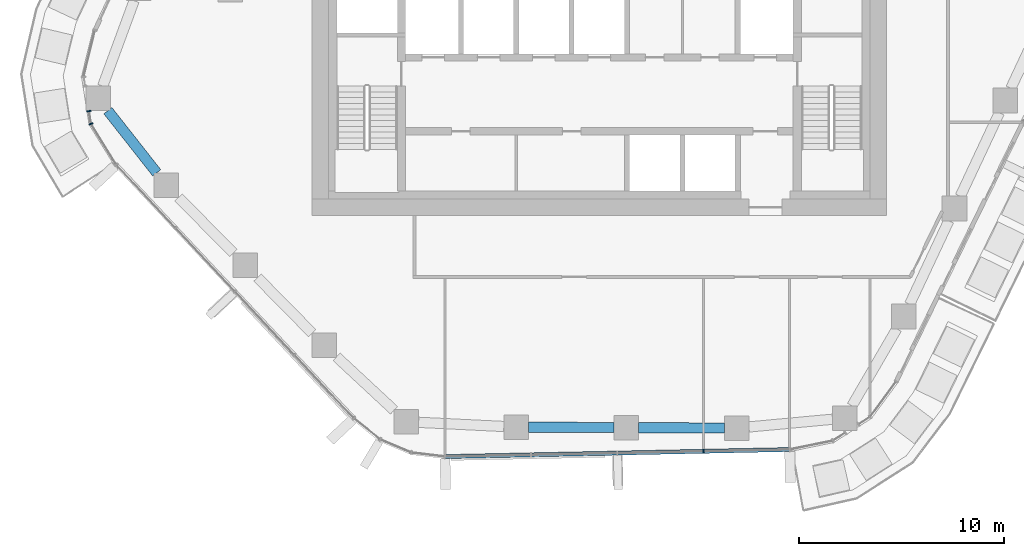
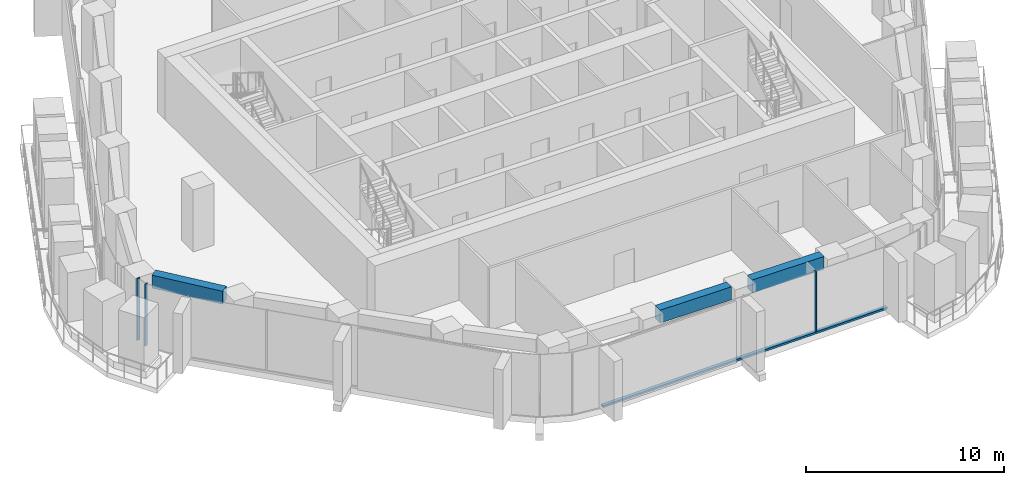
# One storey, part 3 of 18: 4 members, 3 beams, 2 elements without a shape of their own.
"""IFC4 building model written with IfcOpenShell, lengths in metres."""

from ifc_helpers import new_model, si_unit, direction, frame, origin, origin_2d, place, context, subcontext, project, spatial, rectangle, extrude, material, layer, layer_set, material_profile, profile_set, type_object, element, aggregate, save


model = new_model("IFC4")

# Units and contexts
model_context = context("Model", 3, precision=1e-05, world=origin(), true_north=direction((0.0, 1.0)))
body_context = subcontext(model_context, "Body", "Model", "MODEL_VIEW")
ifc_project = project(units=[si_unit("LENGTHUNIT", "METRE"), si_unit("AREAUNIT", "SQUARE_METRE"), si_unit("VOLUMEUNIT", "CUBIC_METRE"), si_unit("PLANEANGLEUNIT", "RADIAN"), si_unit("MASSUNIT", "GRAM", prefix="KILO")], contexts=[model_context])

# Site, building, storey
site_placement = place(None, origin())
site = spatial("IfcSite", under=ifc_project, at=site_placement, CompositionType="ELEMENT")
building_placement = place(site_placement, origin())
building = spatial("IfcBuilding", under=site, at=building_placement, Name="Dongbaek Canopy Tower", CompositionType="ELEMENT")
storey_placement = place(building_placement, frame((0.0, 0.0, 162.800048828125)))
storey = spatial("IfcBuildingStorey", under=building, at=storey_placement, Name="L35", CompositionType="ELEMENT", Elevation=162.800048828125)

# Curtain wall, members
ifc_material_1 = material(Name="Aluminium 6063-T6 pale anodised", Category="aluminium")
ifc_layer = layer(ifc_material_1, 0.199951171875)
ifc_layer_set = layer_set([ifc_layer], Name="CW-1 unitised tower curtain wall")
curtain_wall_type = type_object("IfcCurtainWallType", Name="CW-1 unitised tower curtain wall", PredefinedType="NOTDEFINED", material=ifc_layer_set)
curtain_wall_1_placement = place(storey_placement, origin())
curtain_wall_1 = element("IfcCurtainWall", 1, at=curtain_wall_1_placement, inside=storey, type_object=curtain_wall_type, Name="CW-1 curtain wall K3.1b", PredefinedType="NOTDEFINED")
ifc_material_2 = material(Name="Aluminium 6063-T6 pale anodised", Category="aluminium")
ifc_material_profile_1 = material_profile(ifc_material_2, rectangle(XDim=0.199951171875, YDim=0.06005859375, at=origin_2d()), Name="CW-1 mullion 60 x 200")
ifc_profile_set_1 = profile_set([ifc_material_profile_1], Name="Aluminium 6063-T6 pale anodised")
member_type_1 = type_object("IfcMemberType", Name="CW-1 mullion 60 x 200", PredefinedType="MULLION", material=ifc_profile_set_1)
member_1_placement = place(storey_placement, frame((-24.883056640625, -5.914306640625, 0.0), z_axis=(0.0, 0.0, 1.0), x_axis=(-0.987802807616, -0.155710029436, 0.0)))
member_1 = element("IfcMember", 2, at=member_1_placement, type_object=member_type_1, Name="CW-1 mullion K3.1b.1", PredefinedType="MULLION", context=body_context, shape_type="SweptSolid", body=[
    extrude(rectangle(XDim=0.199951171875, YDim=0.06005859375, at=origin_2d()), origin(), (0.0, 0.0, 1.0), 3.820068359375),
])
member_2_placement = place(storey_placement, frame((-24.784912109375, -6.53759765625, 0.0), z_axis=(0.0, 0.0, 1.0), x_axis=(-0.937567627343, -0.347803024943, 0.0)))
member_2 = element("IfcMember", 3, at=member_2_placement, type_object=member_type_1, Name="CW-1 mullion K3.1b.2", PredefinedType="MULLION", context=body_context, shape_type="SweptSolid", body=[
    extrude(rectangle(XDim=0.199951171875, YDim=0.06005859375, at=origin_2d()), origin(), (0.0, 0.0, 1.0), 3.820068359375),
])
aggregate(curtain_wall_1, [member_1, member_2])

curtain_wall_2_placement = place(storey_placement, origin())
curtain_wall_2 = element("IfcCurtainWall", 4, at=curtain_wall_2_placement, inside=storey, type_object=curtain_wall_type, Name="CW-1 curtain wall F4.1", PredefinedType="NOTDEFINED")
member_3_placement = place(storey_placement, frame((5.086669921875, -22.504638671875, 0.119873046875), z_axis=(0.0, 0.0, 1.0), x_axis=(0.020514717954, -0.999789551029, 0.0)))
member_3 = element("IfcMember", 5, at=member_3_placement, type_object=member_type_1, Name="CW-1 mullion F4.1.4", PredefinedType="MULLION", context=body_context, shape_type="SweptSolid", body=[
    extrude(rectangle(XDim=0.199951171875, YDim=0.06005859375, at=origin_2d()), origin(), (0.0, 0.0, 1.0), 3.7001953125),
])
ifc_material_3 = material(Name="Aluminium 6063-T6 pale anodised", Category="aluminium")
ifc_material_profile_2 = material_profile(ifc_material_3, rectangle(XDim=0.199951171875, YDim=0.1201171875, at=origin_2d()), Name="CW-1 transom 120 x 200")
ifc_profile_set_2 = profile_set([ifc_material_profile_2], Name="Aluminium 6063-T6 pale anodised")
member_type_2 = type_object("IfcMemberType", Name="CW-1 transom 120 x 200", PredefinedType="USERDEFINED", material=ifc_profile_set_2)
member_4_placement = place(storey_placement, frame((-7.526123046875, -22.763427734375, 0.06005859375), z_axis=(0.99978950285, 0.020517065827, 0.0), x_axis=(-0.020517065827, 0.99978950285, 0.0)))
member_4 = element("IfcMember", 6, at=member_4_placement, type_object=member_type_2, Name="CW-1 transom F4.1.1", ObjectType="TRANSOM", PredefinedType="USERDEFINED", context=body_context, shape_type="SweptSolid", body=[
    extrude(rectangle(XDim=0.199951171875, YDim=0.1201171875, at=origin_2d()), origin(), (0.0, 0.0, 1.0), 16.813720703125),
])
aggregate(curtain_wall_2, [member_3, member_4])

# Beams
ifc_material_4 = material(Name="Concrete C70", Category="concrete")
ifc_material_profile_3 = material_profile(ifc_material_4, rectangle(XDim=0.5, YDim=0.800048828125, at=origin_2d()), Name="RC EDGE BEAM 500x800 C70")
ifc_profile_set_3 = profile_set([ifc_material_profile_3], Name="Concrete C70")
beam_type = type_object("IfcBeamType", Name="RC EDGE BEAM 500x800 C70", PredefinedType="BEAM", material=ifc_profile_set_3)
beam_1_placement = place(storey_placement, frame((6.097900390625, -21.369384765625, 3.419921875), z_axis=(-0.999989872655, 0.004500509685, 0.0), x_axis=(-0.004500509685, -0.999989872655, 0.0)))
element("IfcBeam", 7, at=beam_1_placement, inside=storey, type_object=beam_type, Name="EDGEBEAM:L35:01", PredefinedType="BEAM", context=body_context, shape_type="SweptSolid", body=[
    extrude(rectangle(XDim=0.5, YDim=0.800048828125, at=origin_2d()), origin(), (0.0, 0.0, 1.0), 4.177001953125),
])
beam_2_placement = place(storey_placement, frame((0.720947265625, -21.34521484375, 3.419921875), z_axis=(-0.999990129376, 0.004443101423, 0.0), x_axis=(-0.004443101423, -0.999990129376, 0.0)))
element("IfcBeam", 8, at=beam_2_placement, inside=storey, type_object=beam_type, Name="EDGEBEAM:L35:02", PredefinedType="BEAM", context=body_context, shape_type="SweptSolid", body=[
    extrude(rectangle(XDim=0.5, YDim=0.800048828125, at=origin_2d()), origin(), (0.0, 0.0, 1.0), 4.176025390625),
])
beam_3_placement = place(storey_placement, frame((-21.578125, -8.925048828125, 3.419921875), z_axis=(-0.618344214718, 0.785907394115, 0.0), x_axis=(-0.785907394115, -0.618344214718, 0.0)))
element("IfcBeam", 9, at=beam_3_placement, inside=storey, type_object=beam_type, Name="EDGEBEAM:L35:07", PredefinedType="BEAM", context=body_context, shape_type="SweptSolid", body=[
    extrude(rectangle(XDim=0.5, YDim=0.800048828125, at=origin_2d()), origin(), (0.0, 0.0, 1.0), 3.856689453125),
])

save(model, "model.ifc")
